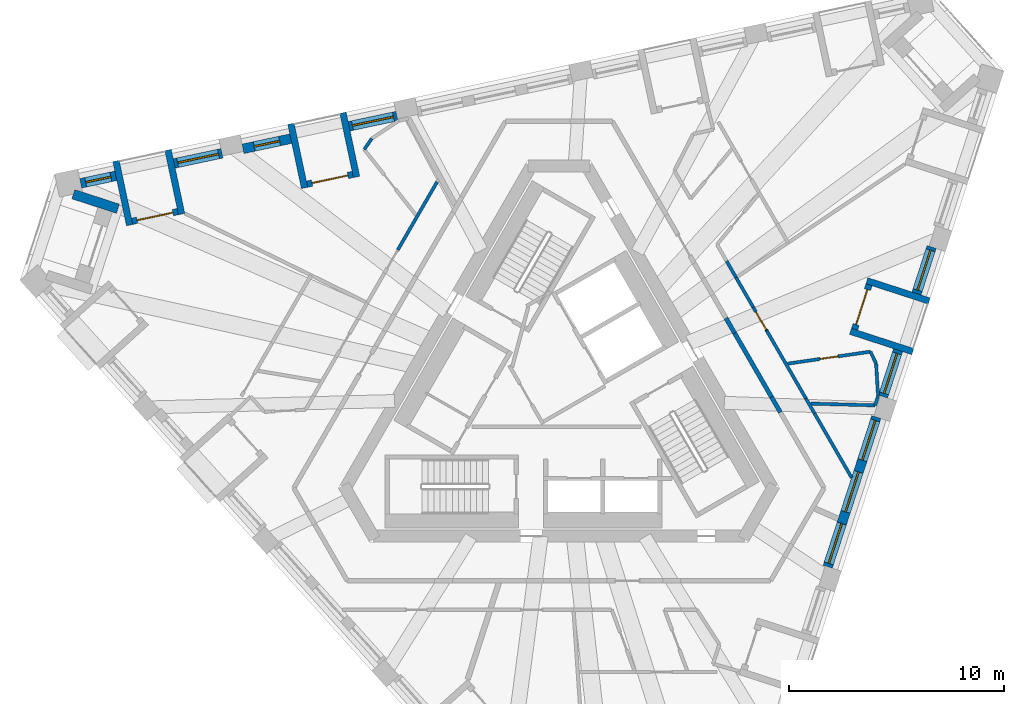
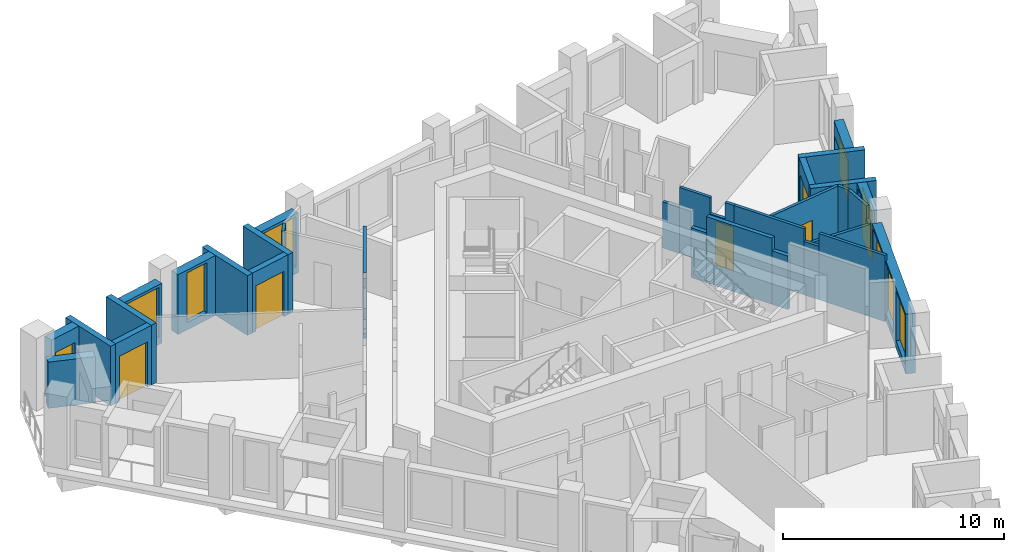
# One storey, part 6 of 12: 33 walls, 9 windows, 5 doors, 14 openings.
"""IFC4 building model written with IfcOpenShell, lengths in metres."""

from ifc_helpers import new_model, si_unit, direction, frame, frame_2d, origin, place, context, subcontext, project, spatial, polyline, rectangle, outline, extrude, material, layer, layer_set, type_object, element, fill, save


model = new_model("IFC4")

# Units and contexts
model_context = context("Model", 3, precision=1e-05, world=origin(), true_north=direction((0.0, 1.0)))
body_context = subcontext(model_context, "Body", "Model", "MODEL_VIEW")
ifc_project = project(units=[si_unit("LENGTHUNIT", "METRE"), si_unit("AREAUNIT", "SQUARE_METRE"), si_unit("VOLUMEUNIT", "CUBIC_METRE"), si_unit("PLANEANGLEUNIT", "RADIAN"), si_unit("MASSUNIT", "GRAM", prefix="KILO")], contexts=[model_context])

# Site, building, storey
site_placement = place(None, origin())
site = spatial("IfcSite", under=ifc_project, at=site_placement, CompositionType="ELEMENT")
building_placement = place(site_placement, origin())
building = spatial("IfcBuilding", under=site, at=building_placement, Name="Tramontana Tower", CompositionType="ELEMENT")
storey_placement = place(building_placement, frame((0.0, 0.0, 336.39990234375)))
storey = spatial("IfcBuildingStorey", under=building, at=storey_placement, Name="L77", CompositionType="ELEMENT", Elevation=336.39990234375)

# Walls
ifc_material_1 = material(Name="Blockwork", Category="masonry")
ifc_layer_1 = layer(ifc_material_1, 0.199951171875)
ifc_layer_set_1 = layer_set([ifc_layer_1], Name="ENTRY WALL 200")
wall_type_1 = type_object("IfcWallType", Name="ENTRY WALL 200", PredefinedType="SOLIDWALL", material=ifc_layer_set_1)
wall_1_placement = place(storey_placement, frame((7.765380859375, 3.64990234375, 0.0), z_axis=(0.0, 0.0, 1.0), x_axis=(0.500141487433, -0.865943700565, 0.0)))
element("IfcWall", 1, at=wall_1_placement, inside=storey, type_object=wall_type_1, Name="Wall v81-ew5-7", PredefinedType="SOLIDWALL", context=body_context, shape_type="SweptSolid", body=[
    extrude(rectangle(XDim=0.806884765625, YDim=0.199951171875, at=frame_2d((0.4033203125, 0.0))), origin(), (0.0, 0.0, 1.0), 2.75),
])
wall_2_placement = place(storey_placement, frame((8.1689453125, 2.951171875, 0.0), z_axis=(0.0, 0.0, 1.0), x_axis=(0.499959115548, -0.866049007147, 0.0)))
element("IfcWall", 2, at=wall_2_placement, inside=storey, type_object=wall_type_1, Name="Wall v81-ew5-8", PredefinedType="SOLIDWALL", context=body_context, shape_type="SweptSolid", body=[
    extrude(rectangle(XDim=3.423095703125, YDim=0.199951171875, at=frame_2d((1.71142578125, 0.0))), origin(), (0.0, 0.0, 1.0), 3.650146484375),
])
wall_3_placement = place(storey_placement, frame((9.88037109375, -0.013427734375, 0.0), z_axis=(0.0, 0.0, 1.0), x_axis=(0.499952654668, -0.866052736899, 0.0)))
element("IfcWall", 3, at=wall_3_placement, inside=storey, type_object=wall_type_1, Name="Wall v81-ew5-9", PredefinedType="SOLIDWALL", context=body_context, shape_type="SweptSolid", body=[
    extrude(rectangle(XDim=0.826171875, YDim=0.199951171875, at=frame_2d((0.4130859375, 0.0))), origin(), (0.0, 0.0, 1.0), 2.9501953125),
])

# Wall, openings, windows
ifc_material_2 = material(Name="Precast concrete 60 MPa", Category="concrete")
ifc_layer_2 = layer(ifc_material_2, 0.449951171875)
ifc_layer_set_2 = layer_set([ifc_layer_2], Name="Precast concrete 60 MPa, 450 mm")
wall_type_2 = type_object("IfcWallType", Name="EW1 Stone-faced precast wall 450", PredefinedType="SOLIDWALL", material=ifc_layer_set_2)
wall_4_placement = place(storey_placement, frame((12.493896484375, -7.904541015625, 0.0), z_axis=(0.0, 0.0, 1.0), x_axis=(0.309008326872, 0.951059332494, 0.0)))
wall_4 = element("IfcWall", 4, at=wall_4_placement, inside=storey, type_object=wall_type_2, Name="External wall L77 face 1 bay 3", PredefinedType="SOLIDWALL", context=body_context, shape_type="SweptSolid", body=[
    extrude(rectangle(XDim=7.313720703125, YDim=0.449951171875, at=frame_2d((3.65673828125, 0.0))), origin(), (0.0, 0.0, 1.0), 3.300048828125),
])
opening_1_placement = place(wall_4_placement, frame((0.16064453125, 0.0, 0.39990234375)))
opening_1 = element("IfcOpeningElement", 5, at=opening_1_placement, cuts=wall_4, Name="Opening M3", PredefinedType="OPENING", context=body_context, shape_type="SweptSolid", body=[
    extrude(rectangle(XDim=1.949951171875, YDim=2.75, at=frame_2d((0.97509765625, 1.375))), frame((0.0, 0.23486328125, 0.0), z_axis=(0.0, -1.0, 0.0), x_axis=(1.0, 0.0, 0.0)), (0.0, 0.0, 1.0), 0.469970703125),
])
opening_2_placement = place(wall_4_placement, frame((2.681884765625, 0.0, 0.39990234375)))
opening_2 = element("IfcOpeningElement", 6, at=opening_2_placement, cuts=wall_4, Name="Opening M3", PredefinedType="OPENING", context=body_context, shape_type="SweptSolid", body=[
    extrude(rectangle(XDim=1.949951171875, YDim=2.75, at=frame_2d((0.97509765625, 1.375))), frame((0.0, 0.23486328125, 0.0), z_axis=(0.0, -1.0, 0.0), x_axis=(1.0, 0.0, 0.0)), (0.0, 0.0, 1.0), 0.469970703125),
])
opening_3_placement = place(wall_4_placement, frame((5.203125, 0.0, 0.39990234375)))
opening_3 = element("IfcOpeningElement", 7, at=opening_3_placement, cuts=wall_4, Name="Opening M3", PredefinedType="OPENING", context=body_context, shape_type="SweptSolid", body=[
    extrude(rectangle(XDim=1.949951171875, YDim=2.75, at=frame_2d((0.97509765625, 1.375))), frame((0.0, 0.23486328125, 0.0), z_axis=(0.0, -1.0, 0.0), x_axis=(1.0, 0.0, 0.0)), (0.0, 0.0, 1.0), 0.469970703125),
])
ifc_material_3 = material(Name="Aluminum frame, double glazing unit", Category="aluminium")
window_type_1 = type_object("IfcWindowType", Name="M3 Window 1.95 x 2.75", PartitioningType="SINGLE_PANEL", PredefinedType="WINDOW", material=ifc_material_3)
window_1_placement = place(opening_1_placement, origin())
window_1 = element("IfcWindow", 8, at=window_1_placement, inside=storey, type_object=window_type_1, Name="Window M3 L77 face 1 module 7", OverallHeight=2.75, OverallWidth=1.949951171875, PartitioningType="SINGLE_PANEL", PredefinedType="WINDOW", context=body_context, shape_type="SweptSolid", body=[
    extrude(rectangle(XDim=1.949951171875, YDim=2.75, at=frame_2d((0.97509765625, 1.375))), frame((0.0, 0.030029296875, 0.0), z_axis=(0.0, -1.0, 0.0), x_axis=(1.0, 0.0, 0.0)), (0.0, 0.0, 1.0), 0.06005859375),
])
fill(opening_1, window_1)
window_2_placement = place(opening_2_placement, origin())
window_2 = element("IfcWindow", 9, at=window_2_placement, inside=storey, type_object=window_type_1, Name="Window M3 L77 face 1 module 8", OverallHeight=2.75, OverallWidth=1.949951171875, PartitioningType="SINGLE_PANEL", PredefinedType="WINDOW", context=body_context, shape_type="SweptSolid", body=[
    extrude(rectangle(XDim=1.949951171875, YDim=2.75, at=frame_2d((0.97509765625, 1.375))), frame((0.0, 0.030029296875, 0.0), z_axis=(0.0, -1.0, 0.0), x_axis=(1.0, 0.0, 0.0)), (0.0, 0.0, 1.0), 0.06005859375),
])
fill(opening_2, window_2)
window_3_placement = place(opening_3_placement, origin())
window_3 = element("IfcWindow", 10, at=window_3_placement, inside=storey, type_object=window_type_1, Name="Window M3 L77 face 1 module 9", OverallHeight=2.75, OverallWidth=1.949951171875, PartitioningType="SINGLE_PANEL", PredefinedType="WINDOW", context=body_context, shape_type="SweptSolid", body=[
    extrude(rectangle(XDim=1.949951171875, YDim=2.75, at=frame_2d((0.97509765625, 1.375))), frame((0.0, 0.030029296875, 0.0), z_axis=(0.0, -1.0, 0.0), x_axis=(1.0, 0.0, 0.0)), (0.0, 0.0, 1.0), 0.06005859375),
])
fill(opening_3, window_3)

# Wall, opening, window
wall_5_placement = place(storey_placement, frame((15.06298828125, 0.00244140625, 0.0), z_axis=(0.0, 0.0, 1.0), x_axis=(0.309059334219, 0.951042758204, 0.0)))
wall_5 = element("IfcWall", 11, at=wall_5_placement, inside=storey, type_object=wall_type_2, Name="External wall L77 face 1 bay 4", PredefinedType="SOLIDWALL", context=body_context, shape_type="SweptSolid", body=[
    extrude(rectangle(XDim=2.27099609375, YDim=0.449951171875, at=frame_2d((1.135498046875, 0.0))), origin(), (0.0, 0.0, 1.0), 3.300048828125),
])
opening_4_placement = place(wall_5_placement, frame((0.16064453125, 0.0, 0.39990234375)))
opening_4 = element("IfcOpeningElement", 12, at=opening_4_placement, cuts=wall_5, Name="Opening M3", PredefinedType="OPENING", context=body_context, shape_type="SweptSolid", body=[
    extrude(rectangle(XDim=1.949951171875, YDim=2.75, at=frame_2d((0.97509765625, 1.375))), frame((0.0, 0.23486328125, 0.0), z_axis=(0.0, -1.0, 0.0), x_axis=(1.0, 0.0, 0.0)), (0.0, 0.0, 1.0), 0.469970703125),
])
window_4_placement = place(opening_4_placement, origin())
window_4 = element("IfcWindow", 13, at=window_4_placement, inside=storey, type_object=window_type_1, Name="Window M3 L77 face 1 module 10", OverallHeight=2.75, OverallWidth=1.949951171875, PartitioningType="SINGLE_PANEL", PredefinedType="WINDOW", context=body_context, shape_type="SweptSolid", body=[
    extrude(rectangle(XDim=1.949951171875, YDim=2.75, at=frame_2d((0.97509765625, 1.375))), frame((0.0, 0.030029296875, 0.0), z_axis=(0.0, -1.0, 0.0), x_axis=(1.0, 0.0, 0.0)), (0.0, 0.0, 1.0), 0.06005859375),
])
fill(opening_4, window_4)

wall_6_placement = place(storey_placement, frame((16.62109375, 4.798095703125, 0.0), z_axis=(0.0, 0.0, 1.0), x_axis=(0.309027740273, 0.951053024674, 0.0)))
wall_6 = element("IfcWall", 14, at=wall_6_placement, inside=storey, type_object=wall_type_2, Name="External wall L77 face 1 bay 4", PredefinedType="SOLIDWALL", context=body_context, shape_type="SweptSolid", body=[
    extrude(rectangle(XDim=2.271240234375, YDim=0.449951171875, at=frame_2d((1.1357421875, 0.0))), origin(), (0.0, 0.0, 1.0), 3.300048828125),
])
opening_5_placement = place(wall_6_placement, frame((0.16064453125, 0.0, 0.39990234375)))
opening_5 = element("IfcOpeningElement", 15, at=opening_5_placement, cuts=wall_6, Name="Opening M3L", PredefinedType="OPENING", context=body_context, shape_type="SweptSolid", body=[
    extrude(rectangle(XDim=1.949951171875, YDim=2.10009765625, at=frame_2d((0.97509765625, 1.050048828125))), frame((0.0, 0.23486328125, 0.0), z_axis=(0.0, -1.0, 0.0), x_axis=(1.0, 0.0, 0.0)), (0.0, 0.0, 1.0), 0.469970703125),
])
ifc_material_4 = material(Name="Aluminum frame, double glazing unit", Category="aluminium")
window_type_2 = type_object("IfcWindowType", Name="M3L Window 1.95 x 2.1", PartitioningType="SINGLE_PANEL", PredefinedType="WINDOW", material=ifc_material_4)
window_5_placement = place(opening_5_placement, origin())
window_5 = element("IfcWindow", 16, at=window_5_placement, inside=storey, type_object=window_type_2, Name="Window M3L L77 face 1 module 12", OverallHeight=2.10009765625, OverallWidth=1.949951171875, PartitioningType="SINGLE_PANEL", PredefinedType="WINDOW", context=body_context, shape_type="SweptSolid", body=[
    extrude(rectangle(XDim=1.949951171875, YDim=2.10009765625, at=frame_2d((0.97509765625, 1.050048828125))), frame((0.0, 0.030029296875, 0.0), z_axis=(0.0, -1.0, 0.0), x_axis=(1.0, 0.0, 0.0)), (0.0, 0.0, 1.0), 0.06005859375),
])
fill(opening_5, window_5)

wall_7_placement = place(storey_placement, frame((-7.533447265625, 13.043701171875, 0.0), z_axis=(0.0, 0.0, 1.0), x_axis=(-0.978153386925, -0.207884467067, 0.0)))
wall_7 = element("IfcWall", 17, at=wall_7_placement, inside=storey, type_object=wall_type_2, Name="External wall L77 face 2 bay 4", PredefinedType="SOLIDWALL", context=body_context, shape_type="SweptSolid", body=[
    extrude(rectangle(XDim=2.271240234375, YDim=0.449951171875, at=frame_2d((1.1357421875, 0.0))), origin(), (0.0, 0.0, 1.0), 3.300048828125),
])
opening_6_placement = place(wall_7_placement, frame((0.16064453125, 0.0, 0.39990234375)))
opening_6 = element("IfcOpeningElement", 18, at=opening_6_placement, cuts=wall_7, Name="Opening M3", PredefinedType="OPENING", context=body_context, shape_type="SweptSolid", body=[
    extrude(rectangle(XDim=1.949951171875, YDim=2.75, at=frame_2d((0.97509765625, 1.375))), frame((0.0, 0.23486328125, 0.0), z_axis=(0.0, -1.0, 0.0), x_axis=(1.0, 0.0, 0.0)), (0.0, 0.0, 1.0), 0.469970703125),
])
window_6_placement = place(opening_6_placement, origin())
window_6 = element("IfcWindow", 19, at=window_6_placement, inside=storey, type_object=window_type_1, Name="Window M3 L77 face 2 module 10", OverallHeight=2.75, OverallWidth=1.949951171875, PartitioningType="SINGLE_PANEL", PredefinedType="WINDOW", context=body_context, shape_type="SweptSolid", body=[
    extrude(rectangle(XDim=1.949951171875, YDim=2.75, at=frame_2d((0.97509765625, 1.375))), frame((0.0, 0.030029296875, 0.0), z_axis=(0.0, -1.0, 0.0), x_axis=(1.0, 0.0, 0.0)), (0.0, 0.0, 1.0), 0.06005859375),
])
fill(opening_6, window_6)

wall_8_placement = place(storey_placement, frame((-12.4658203125, 11.995361328125, 0.0), z_axis=(0.0, 0.0, 1.0), x_axis=(-0.978153386925, -0.207884467067, 0.0)))
wall_8 = element("IfcWall", 20, at=wall_8_placement, inside=storey, type_object=wall_type_2, Name="External wall L77 face 2 bay 4", PredefinedType="SOLIDWALL", context=body_context, shape_type="SweptSolid", body=[
    extrude(rectangle(XDim=2.271240234375, YDim=0.449951171875, at=frame_2d((1.1357421875, 0.0))), origin(), (0.0, 0.0, 1.0), 3.300048828125),
])
opening_7_placement = place(wall_8_placement, frame((0.53564453125, 0.0, 0.39990234375)))
opening_7 = element("IfcOpeningElement", 21, at=opening_7_placement, cuts=wall_8, Name="Opening N3", PredefinedType="OPENING", context=body_context, shape_type="SweptSolid", body=[
    extrude(rectangle(XDim=1.199951171875, YDim=2.75, at=frame_2d((0.60009765625, 1.375))), frame((0.0, 0.23486328125, 0.0), z_axis=(0.0, -1.0, 0.0), x_axis=(1.0, 0.0, 0.0)), (0.0, 0.0, 1.0), 0.469970703125),
])
ifc_material_5 = material(Name="Aluminum frame, double glazing unit", Category="aluminium")
window_type_3 = type_object("IfcWindowType", Name="N3 Window 1.2 x 2.75", PartitioningType="SINGLE_PANEL", PredefinedType="WINDOW", material=ifc_material_5)
window_7_placement = place(opening_7_placement, origin())
window_7 = element("IfcWindow", 22, at=window_7_placement, inside=storey, type_object=window_type_3, Name="Window N3 L77 face 2 module 12", OverallHeight=2.75, OverallWidth=1.199951171875, PartitioningType="SINGLE_PANEL", PredefinedType="WINDOW", context=body_context, shape_type="SweptSolid", body=[
    extrude(rectangle(XDim=1.199951171875, YDim=2.75, at=frame_2d((0.60009765625, 1.375))), frame((0.0, 0.030029296875, 0.0), z_axis=(0.0, -1.0, 0.0), x_axis=(1.0, 0.0, 0.0)), (0.0, 0.0, 1.0), 0.06005859375),
])
fill(opening_7, window_7)

wall_9_placement = place(storey_placement, frame((-15.665771484375, 11.315185546875, 0.0), z_axis=(0.0, 0.0, 1.0), x_axis=(-0.978148740936, -0.207906326516, 0.0)))
wall_9 = element("IfcWall", 23, at=wall_9_placement, inside=storey, type_object=wall_type_2, Name="External wall L77 face 2 bay 5", PredefinedType="SOLIDWALL", context=body_context, shape_type="SweptSolid", body=[
    extrude(rectangle(XDim=2.27099609375, YDim=0.449951171875, at=frame_2d((1.135498046875, 0.0))), origin(), (0.0, 0.0, 1.0), 3.300048828125),
])
opening_8_placement = place(wall_9_placement, frame((0.16064453125, 0.0, 0.39990234375)))
opening_8 = element("IfcOpeningElement", 24, at=opening_8_placement, cuts=wall_9, Name="Opening M3", PredefinedType="OPENING", context=body_context, shape_type="SweptSolid", body=[
    extrude(rectangle(XDim=1.949951171875, YDim=2.75, at=frame_2d((0.97509765625, 1.375))), frame((0.0, 0.23486328125, 0.0), z_axis=(0.0, -1.0, 0.0), x_axis=(1.0, 0.0, 0.0)), (0.0, 0.0, 1.0), 0.469970703125),
])
window_8_placement = place(opening_8_placement, origin())
window_8 = element("IfcWindow", 25, at=window_8_placement, inside=storey, type_object=window_type_1, Name="Window M3 L77 face 2 module 13", OverallHeight=2.75, OverallWidth=1.949951171875, PartitioningType="SINGLE_PANEL", PredefinedType="WINDOW", context=body_context, shape_type="SweptSolid", body=[
    extrude(rectangle(XDim=1.949951171875, YDim=2.75, at=frame_2d((0.97509765625, 1.375))), frame((0.0, 0.030029296875, 0.0), z_axis=(0.0, -1.0, 0.0), x_axis=(1.0, 0.0, 0.0)), (0.0, 0.0, 1.0), 0.06005859375),
])
fill(opening_8, window_8)

wall_10_placement = place(storey_placement, frame((-20.59814453125, 10.266845703125, 0.0), z_axis=(0.0, 0.0, 1.0), x_axis=(-0.978126168783, -0.208012494676, 0.0)))
wall_10 = element("IfcWall", 26, at=wall_10_placement, inside=storey, type_object=wall_type_2, Name="External wall L77 face 2 bay 5", PredefinedType="SOLIDWALL", context=body_context, shape_type="SweptSolid", body=[
    extrude(rectangle(XDim=1.67138671875, YDim=0.449951171875, at=frame_2d((0.835693359375, 0.0))), origin(), (0.0, 0.0, 1.0), 3.300048828125),
])
opening_9_placement = place(wall_10_placement, frame((0.235595703125, 0.0, 0.39990234375)))
opening_9 = element("IfcOpeningElement", 27, at=opening_9_placement, cuts=wall_10, Name="Opening N3L", PredefinedType="OPENING", context=body_context, shape_type="SweptSolid", body=[
    extrude(rectangle(XDim=1.199951171875, YDim=2.10009765625, at=frame_2d((0.60009765625, 1.050048828125))), frame((0.0, 0.23486328125, 0.0), z_axis=(0.0, -1.0, 0.0), x_axis=(1.0, 0.0, 0.0)), (0.0, 0.0, 1.0), 0.469970703125),
])
ifc_material_6 = material(Name="Aluminum frame, double glazing unit", Category="aluminium")
window_type_4 = type_object("IfcWindowType", Name="N3L Window 1.2 x 2.1", PartitioningType="SINGLE_PANEL", PredefinedType="WINDOW", material=ifc_material_6)
window_9_placement = place(opening_9_placement, origin())
window_9 = element("IfcWindow", 28, at=window_9_placement, inside=storey, type_object=window_type_4, Name="Window N3L L77 face 2 module 15", OverallHeight=2.10009765625, OverallWidth=1.199951171875, PartitioningType="SINGLE_PANEL", PredefinedType="WINDOW", context=body_context, shape_type="SweptSolid", body=[
    extrude(rectangle(XDim=1.199951171875, YDim=2.10009765625, at=frame_2d((0.60009765625, 1.050048828125))), frame((0.0, 0.030029296875, 0.0), z_axis=(0.0, -1.0, 0.0), x_axis=(1.0, 0.0, 0.0)), (0.0, 0.0, 1.0), 0.06005859375),
])
fill(opening_9, window_9)

# Wall
wall_11_placement = place(storey_placement, frame((-22.57568359375, 9.411865234375, 0.0), z_axis=(0.0, 0.0, 1.0), x_axis=(0.951064526973, -0.308992338955, 0.0)))
element("IfcWall", 29, at=wall_11_placement, inside=storey, type_object=wall_type_2, Name="Corner loggia side wall L77 K80r", PredefinedType="SOLIDWALL", context=body_context, shape_type="SweptSolid", body=[
    extrude(rectangle(XDim=2.17919921875, YDim=0.449951171875, at=frame_2d((1.089599609375, 0.0))), origin(), (0.0, 0.0, 1.0), 2.550048828125),
])

# Wall, opening, door
ifc_material_7 = material(Name="Precast concrete 60 MPa", Category="concrete")
ifc_layer_3 = layer(ifc_material_7, 0.300048828125)
ifc_layer_set_3 = layer_set([ifc_layer_3], Name="LW1 Stone-faced loggia wall 300")
wall_type_3 = type_object("IfcWallType", Name="LW1 Stone-faced loggia wall 300", PredefinedType="SOLIDWALL", material=ifc_layer_set_3)
wall_12_placement = place(storey_placement, frame((13.741455078125, 3.13525390625, 0.0), z_axis=(0.0, 0.0, 1.0), x_axis=(0.308966581759, 0.95107289487, 0.0)))
wall_12 = element("IfcWall", 30, at=wall_12_placement, inside=storey, type_object=wall_type_3, Name="Loggia wall L77 G8S1.10", PredefinedType="SOLIDWALL", context=body_context, shape_type="SweptSolid", body=[
    extrude(rectangle(XDim=2.17138671875, YDim=0.300048828125, at=frame_2d((1.085693359375, 0.0))), origin(), (0.0, 0.0, 1.0), 3.300048828125),
])
opening_10_placement = place(wall_12_placement, frame((0.235595703125, 0.0, 0.0)))
opening_10 = element("IfcOpeningElement", 31, at=opening_10_placement, cuts=wall_12, Name="Opening BD-8S1-10", PredefinedType="OPENING", context=body_context, shape_type="SweptSolid", body=[
    extrude(rectangle(XDim=1.699951171875, YDim=2.5, at=frame_2d((0.85009765625, 1.25))), frame((0.0, 0.159912109375, 0.0), z_axis=(0.0, -1.0, 0.0), x_axis=(1.0, 0.0, 0.0)), (0.0, 0.0, 1.0), 0.320068359375),
])
ifc_material_8 = material(Name="Aluminum frame, double glazing unit", Category="aluminium")
door_type_1 = type_object("IfcDoorType", Name="BD3 Sliding door 1.7 x 2.5", OperationType="SLIDING_TO_LEFT", PredefinedType="DOOR", material=ifc_material_8)
door_1_placement = place(opening_10_placement, origin())
door_1 = element("IfcDoor", 32, at=door_1_placement, inside=storey, type_object=door_type_1, Name="Loggia door L77 G8S1.10", OperationType="SLIDING_TO_LEFT", OverallHeight=2.5, OverallWidth=1.699951171875, PredefinedType="DOOR", context=body_context, shape_type="SweptSolid", body=[
    extrude(rectangle(XDim=1.699951171875, YDim=2.5, at=frame_2d((0.85009765625, 1.25))), frame((0.0, 0.02490234375, 0.0), z_axis=(0.0, -1.0, 0.0), x_axis=(1.0, 0.0, 0.0)), (0.0, 0.0, 1.0), 0.050048828125),
])
fill(opening_10, door_1)

# Walls
for number, where, z_axis, x_axis, name in (
    (33, (16.453125, 2.096435546875, 0.0), (0.0, 0.0, 1.0), (-0.951041715693, 0.309062542235, 0.0), "Loggia return L77 G8S1.10a"),
    (34, (17.216796875, 4.44677734375, 0.0), (0.0, 0.0, 1.0), (-0.951041715693, 0.309062542235, 0.0), "Loggia return L77 G8S1.10b"),
):
    element("IfcWall", number, at=place(storey_placement, frame(where, z_axis=z_axis, x_axis=x_axis)), inside=storey, type_object=wall_type_3, Name=name, PredefinedType="SOLIDWALL", context=body_context, shape_type="SweptSolid", body=[
        extrude(rectangle(XDim=3.050048828125, YDim=0.300048828125, at=frame_2d((1.52490234375, 0.0))), origin(), (0.0, 0.0, 1.0), 3.300048828125),
    ])

# Wall, opening, door
wall_13_placement = place(storey_placement, frame((-9.5859375, 10.332763671875, 0.0), z_axis=(0.0, 0.0, 1.0), x_axis=(-0.978148276005, -0.207908513891, 0.0)))
wall_13 = element("IfcWall", 35, at=wall_13_placement, inside=storey, type_object=wall_type_3, Name="Loggia wall L77 G8S2.10", PredefinedType="SOLIDWALL", context=body_context, shape_type="SweptSolid", body=[
    extrude(rectangle(XDim=2.171142578125, YDim=0.300048828125, at=frame_2d((1.08544921875, 0.0))), origin(), (0.0, 0.0, 1.0), 3.300048828125),
])
opening_11_placement = place(wall_13_placement, frame((0.235595703125, 0.0, 0.0)))
opening_11 = element("IfcOpeningElement", 36, at=opening_11_placement, cuts=wall_13, Name="Opening BD-8S2-10", PredefinedType="OPENING", context=body_context, shape_type="SweptSolid", body=[
    extrude(rectangle(XDim=1.699951171875, YDim=2.5, at=frame_2d((0.85009765625, 1.25))), frame((0.0, 0.159912109375, 0.0), z_axis=(0.0, -1.0, 0.0), x_axis=(1.0, 0.0, 0.0)), (0.0, 0.0, 1.0), 0.320068359375),
])
door_2_placement = place(opening_11_placement, origin())
door_2 = element("IfcDoor", 37, at=door_2_placement, inside=storey, type_object=door_type_1, Name="Loggia door L77 G8S2.10", OperationType="SLIDING_TO_LEFT", OverallHeight=2.5, OverallWidth=1.699951171875, PredefinedType="DOOR", context=body_context, shape_type="SweptSolid", body=[
    extrude(rectangle(XDim=1.699951171875, YDim=2.5, at=frame_2d((0.85009765625, 1.25))), frame((0.0, 0.02490234375, 0.0), z_axis=(0.0, -1.0, 0.0), x_axis=(1.0, 0.0, 0.0)), (0.0, 0.0, 1.0), 0.050048828125),
])
fill(opening_11, door_2)

# Walls
for number, where, z_axis, x_axis, name in (
    (38, (-10.042236328125, 13.20068359375, 0.0), (0.0, 0.0, 1.0), (0.207954487003, -0.978138503145, 0.0), "Loggia return L77 G8S2.10a"),
    (39, (-12.45947265625, 12.686767578125, 0.0), (0.0, 0.0, 1.0), (0.207877902534, -0.978154782045, 0.0), "Loggia return L77 G8S2.10b"),
):
    element("IfcWall", number, at=place(storey_placement, frame(where, z_axis=z_axis, x_axis=x_axis)), inside=storey, type_object=wall_type_3, Name=name, PredefinedType="SOLIDWALL", context=body_context, shape_type="SweptSolid", body=[
        extrude(rectangle(XDim=3.050048828125, YDim=0.300048828125, at=frame_2d((1.52490234375, 0.0))), origin(), (0.0, 0.0, 1.0), 3.300048828125),
    ])

# Wall, opening, door
wall_14_placement = place(storey_placement, frame((-17.71826171875, 8.604248046875, 0.0), z_axis=(0.0, 0.0, 1.0), x_axis=(-0.978148276005, -0.207908513891, 0.0)))
wall_14 = element("IfcWall", 40, at=wall_14_placement, inside=storey, type_object=wall_type_3, Name="Loggia wall L77 G8S2.13", PredefinedType="SOLIDWALL", context=body_context, shape_type="SweptSolid", body=[
    extrude(rectangle(XDim=2.171142578125, YDim=0.300048828125, at=frame_2d((1.08544921875, 0.0))), origin(), (0.0, 0.0, 1.0), 3.300048828125),
])
opening_12_placement = place(wall_14_placement, frame((0.235595703125, 0.0, 0.0)))
opening_12 = element("IfcOpeningElement", 41, at=opening_12_placement, cuts=wall_14, Name="Opening BD-8S2-13", PredefinedType="OPENING", context=body_context, shape_type="SweptSolid", body=[
    extrude(rectangle(XDim=1.699951171875, YDim=2.5, at=frame_2d((0.85009765625, 1.25))), frame((0.0, 0.159912109375, 0.0), z_axis=(0.0, -1.0, 0.0), x_axis=(1.0, 0.0, 0.0)), (0.0, 0.0, 1.0), 0.320068359375),
])
door_3_placement = place(opening_12_placement, origin())
door_3 = element("IfcDoor", 42, at=door_3_placement, inside=storey, type_object=door_type_1, Name="Loggia door L77 G8S2.13", OperationType="SLIDING_TO_LEFT", OverallHeight=2.5, OverallWidth=1.699951171875, PredefinedType="DOOR", context=body_context, shape_type="SweptSolid", body=[
    extrude(rectangle(XDim=1.699951171875, YDim=2.5, at=frame_2d((0.85009765625, 1.25))), frame((0.0, 0.02490234375, 0.0), z_axis=(0.0, -1.0, 0.0), x_axis=(1.0, 0.0, 0.0)), (0.0, 0.0, 1.0), 0.050048828125),
])
fill(opening_12, door_3)

# Walls
wall_15_placement = place(storey_placement, frame((-18.17431640625, 11.471923828125, 0.0), z_axis=(0.0, 0.0, 1.0), x_axis=(0.207894179953, -0.978151322619, 0.0)))
element("IfcWall", 43, at=wall_15_placement, inside=storey, type_object=wall_type_3, Name="Loggia return L77 G8S2.13a", PredefinedType="SOLIDWALL", context=body_context, shape_type="SweptSolid", body=[
    extrude(rectangle(XDim=3.0498046875, YDim=0.300048828125, at=frame_2d((1.52490234375, 0.0))), origin(), (0.0, 0.0, 1.0), 3.300048828125),
])
wall_16_placement = place(storey_placement, frame((-20.591552734375, 10.958251953125, 0.0), z_axis=(0.0, 0.0, 1.0), x_axis=(0.207877902534, -0.978154782045, 0.0)))
element("IfcWall", 44, at=wall_16_placement, inside=storey, type_object=wall_type_3, Name="Loggia return L77 G8S2.13b", PredefinedType="SOLIDWALL", context=body_context, shape_type="SweptSolid", body=[
    extrude(rectangle(XDim=3.050048828125, YDim=0.300048828125, at=frame_2d((1.52490234375, 0.0))), origin(), (0.0, 0.0, 1.0), 3.300048828125),
])
ifc_material_9 = material(Name="Gypsum board partition")
ifc_layer_4 = layer(ifc_material_9, 0.14990234375)
ifc_layer_set_4 = layer_set([ifc_layer_4], Name="PARTITION 150")
wall_type_4 = type_object("IfcWallType", Name="PARTITION 150", PredefinedType="PARTITIONING", material=ifc_layer_set_4)
wall_17_placement = place(storey_placement, frame((-7.490478515625, 6.826171875, 0.0), z_axis=(0.0, 0.0, 1.0), x_axis=(0.500041145768, 0.866001646961, 0.0)))
element("IfcWall", 45, at=wall_17_placement, inside=storey, type_object=wall_type_4, Name="Wall v81-pw07-7", PredefinedType="PARTITIONING", context=body_context, shape_type="SweptSolid", body=[
    extrude(rectangle(XDim=3.647216796875, YDim=0.14990234375, at=frame_2d((1.82373046875, 0.0))), origin(), (0.0, 0.0, 1.0), 3.650146484375),
])
wall_18_placement = place(storey_placement, frame((7.792236328125, 6.303466796875, 0.0), z_axis=(0.0, 0.0, 1.0), x_axis=(0.500074377092, -0.865982457891, 0.0)))
element("IfcWall", 46, at=wall_18_placement, inside=storey, type_object=wall_type_4, Name="Wall v81-pw24-1", PredefinedType="PARTITIONING", context=body_context, shape_type="SweptSolid", body=[
    extrude(rectangle(XDim=0.880615234375, YDim=0.14990234375, at=frame_2d((0.4404296875, 0.0))), origin(), (0.0, 0.0, 1.0), 2.550048828125),
])
wall_19_placement = place(storey_placement, frame((8.232666015625, 5.540771484375, 0.0), z_axis=(0.0, 0.0, 1.0), x_axis=(0.500009674092, -0.866019818373, 0.0)))
element("IfcWall", 47, at=wall_19_placement, inside=storey, type_object=wall_type_4, Name="Wall v81-pw24-2", PredefinedType="PARTITIONING", context=body_context, shape_type="SweptSolid", body=[
    extrude(rectangle(XDim=1.59423828125, YDim=0.14990234375, at=frame_2d((0.797119140625, 0.0))), origin(), (0.0, 0.0, 1.0), 3.650146484375),
])

# Wall, opening, door
wall_20_placement = place(storey_placement, frame((9.02978515625, 4.16015625, 0.0), z_axis=(0.0, 0.0, 1.0), x_axis=(0.499952953824, -0.866052564203, 0.0)))
wall_20 = element("IfcWall", 48, at=wall_20_placement, inside=storey, type_object=wall_type_4, Name="Wall v81-pw24-3", PredefinedType="PARTITIONING", context=body_context, shape_type="SweptSolid", body=[
    extrude(outline(polyline([(0.0, 0.0), (1.2529296875, 0.0), (1.253173828125, 3.650146484375), (0.78173828125, 3.650146484375), (0.78173828125, 2.75), (0.0, 2.75), (0.0, 0.0)])), frame((0.0, 0.074951171875, 0.0), z_axis=(0.0, -1.0, 0.0), x_axis=(1.0, 0.0, 0.0)), (0.0, 0.0, 1.0), 0.14990234375),
])
opening_13_placement = place(wall_20_placement, frame((0.253173828125, 0.0, 0.0)))
opening_13 = element("IfcOpeningElement", 49, at=opening_13_placement, cuts=wall_20, Name="Opening B8B-13", PredefinedType="OPENING", context=body_context, shape_type="SweptSolid", body=[
    extrude(rectangle(XDim=0.949951171875, YDim=2.39990234375, at=frame_2d((0.47509765625, 1.199951171875))), frame((0.0, 0.0849609375, 0.0), z_axis=(0.0, -1.0, 0.0), x_axis=(1.0, 0.0, 0.0)), (0.0, 0.0, 1.0), 0.169921875),
])
ifc_material_10 = material(Name="Painted timber", Category="wood")
door_type_2 = type_object("IfcDoorType", Name="DOOR ROOM 950", OperationType="SINGLE_SWING_LEFT", PredefinedType="DOOR", material=ifc_material_10)
door_4_placement = place(opening_13_placement, origin())
door_4 = element("IfcDoor", 50, at=door_4_placement, inside=storey, type_object=door_type_2, Name="Door B8B-13", OperationType="SINGLE_SWING_LEFT", OverallHeight=2.39990234375, OverallWidth=0.949951171875, PredefinedType="DOOR", context=body_context, shape_type="SweptSolid", body=[
    extrude(rectangle(XDim=0.949951171875, YDim=2.39990234375, at=frame_2d((0.47509765625, 1.199951171875))), frame((0.0, 0.02490234375, 0.0), z_axis=(0.0, -1.0, 0.0), x_axis=(1.0, 0.0, 0.0)), (0.0, 0.0, 1.0), 0.050048828125),
])
fill(opening_13, door_4)

# Walls
wall_21_placement = place(storey_placement, frame((9.65625, 3.074951171875, 0.0), z_axis=(0.0, 0.0, 1.0), x_axis=(0.499996628238, -0.866027350463, 0.0)))
element("IfcWall", 51, at=wall_21_placement, inside=storey, type_object=wall_type_4, Name="Wall v81-pw24-4", PredefinedType="PARTITIONING", context=body_context, shape_type="SweptSolid", body=[
    extrude(rectangle(XDim=3.6484375, YDim=0.14990234375, at=frame_2d((1.82421875, 0.0))), origin(), (0.0, 0.0, 1.0), 3.650146484375),
])
wall_22_placement = place(storey_placement, frame((11.48046875, -0.084716796875, 0.0), z_axis=(0.0, 0.0, 1.0), x_axis=(0.499961121316, -0.86604784924, 0.0)))
element("IfcWall", 52, at=wall_22_placement, inside=storey, type_object=wall_type_4, Name="Wall v81-pw24-5", PredefinedType="PARTITIONING", context=body_context, shape_type="SweptSolid", body=[
    extrude(rectangle(XDim=0.796875, YDim=0.14990234375, at=frame_2d((0.3984375, 0.0))), origin(), (0.0, 0.0, 1.0), 2.9501953125),
])
wall_23_placement = place(storey_placement, frame((11.87890625, -0.77490234375, 0.0), z_axis=(0.0, 0.0, 1.0), x_axis=(0.499983902814, -0.8660346973, 0.0)))
element("IfcWall", 53, at=wall_23_placement, inside=storey, type_object=wall_type_4, Name="Wall v81-pw24-6", PredefinedType="PARTITIONING", context=body_context, shape_type="SweptSolid", body=[
    extrude(rectangle(XDim=3.44873046875, YDim=0.14990234375, at=frame_2d((1.724365234375, 0.0))), origin(), (0.0, 0.0, 1.0), 3.650146484375),
])

# Wall, opening, door
wall_24_placement = place(storey_placement, frame((14.48046875, 2.092041015625, 0.0), z_axis=(0.0, 0.0, 1.0), x_axis=(-0.98972223703, -0.143003124188, 0.0)))
wall_24 = element("IfcWall", 54, at=wall_24_placement, inside=storey, type_object=wall_type_4, Name="Wall v81-pw31", PredefinedType="PARTITIONING", context=body_context, shape_type="SweptSolid", body=[
    extrude(rectangle(XDim=3.88916015625, YDim=0.14990234375, at=frame_2d((1.944580078125, 0.0))), origin(), (0.0, 0.0, 1.0), 3.650146484375),
])
opening_14_placement = place(wall_24_placement, frame((1.51953125, 0.0, 0.0)))
opening_14 = element("IfcOpeningElement", 55, at=opening_14_placement, cuts=wall_24, Name="Opening B8B-14", PredefinedType="OPENING", context=body_context, shape_type="SweptSolid", body=[
    extrude(rectangle(XDim=0.85009765625, YDim=2.39990234375, at=frame_2d((0.425048828125, 1.199951171875))), frame((0.0, 0.0849609375, 0.0), z_axis=(0.0, -1.0, 0.0), x_axis=(1.0, 0.0, 0.0)), (0.0, 0.0, 1.0), 0.169921875),
])
ifc_material_11 = material(Name="Painted timber", Category="wood")
door_type_3 = type_object("IfcDoorType", Name="DOOR BATH 850", OperationType="SINGLE_SWING_LEFT", PredefinedType="DOOR", material=ifc_material_11)
door_5_placement = place(opening_14_placement, origin())
door_5 = element("IfcDoor", 56, at=door_5_placement, inside=storey, type_object=door_type_3, Name="Door B8B-14", OperationType="SINGLE_SWING_RIGHT", OverallHeight=2.39990234375, OverallWidth=0.85009765625, PredefinedType="DOOR", context=body_context, shape_type="SweptSolid", body=[
    extrude(rectangle(XDim=0.85009765625, YDim=2.39990234375, at=frame_2d((0.425048828125, 1.199951171875))), frame((0.0, 0.02490234375, 0.0), z_axis=(0.0, -1.0, 0.0), x_axis=(1.0, 0.0, 0.0)), (0.0, 0.0, 1.0), 0.050048828125),
])
fill(opening_14, door_5)

# Walls
wall_25_placement = place(storey_placement, frame((14.6943359375, -0.403564453125, 0.0), z_axis=(0.0, 0.0, 1.0), x_axis=(-0.999623987497, 0.027420496351, 0.0)))
element("IfcWall", 57, at=wall_25_placement, inside=storey, type_object=wall_type_4, Name="Wall v81-pw33-0", PredefinedType="PARTITIONING", context=body_context, shape_type="SweptSolid", body=[
    extrude(rectangle(XDim=2.99169921875, YDim=0.14990234375, at=frame_2d((1.495849609375, 0.0))), origin(), (0.0, 0.0, 1.0), 2.9501953125),
])
wall_26_placement = place(storey_placement, frame((14.74365234375, 1.535400390625, 0.0), z_axis=(0.0, 0.0, 1.0), x_axis=(0.060553720594, -0.998164939738, 0.0)))
element("IfcWall", 58, at=wall_26_placement, inside=storey, type_object=wall_type_4, Name="Wall v81-pw34", PredefinedType="PARTITIONING", context=body_context, shape_type="SweptSolid", body=[
    extrude(rectangle(XDim=1.5078125, YDim=0.14990234375, at=frame_2d((0.75390625, 0.0))), origin(), (0.0, 0.0, 1.0), 3.650146484375),
])
wall_27_placement = place(storey_placement, frame((14.835205078125, 0.029541015625, 0.0), z_axis=(0.0, 0.0, 1.0), x_axis=(-0.30881935168, -0.951120711597, 0.0)))
element("IfcWall", 59, at=wall_27_placement, inside=storey, type_object=wall_type_4, Name="Wall v81-pw35-0", PredefinedType="PARTITIONING", context=body_context, shape_type="SweptSolid", body=[
    extrude(rectangle(XDim=0.455322265625, YDim=0.14990234375, at=frame_2d((0.2275390625, 0.0))), origin(), (0.0, 0.0, 1.0), 2.9501953125),
])
wall_28_placement = place(storey_placement, frame((-9.052001953125, 11.494384765625, 0.0), z_axis=(0.0, 0.0, 1.0), x_axis=(0.569251205222, 0.822163648767, 0.0)))
element("IfcWall", 60, at=wall_28_placement, inside=storey, type_object=wall_type_4, Name="Wall v81-pwc00", PredefinedType="PARTITIONING", context=body_context, shape_type="SweptSolid", body=[
    extrude(rectangle(XDim=0.615966796875, YDim=0.14990234375, at=frame_2d((0.30810546875, 0.0))), origin(), (0.0, 0.0, 1.0), 3.650146484375),
])
wall_29_placement = place(storey_placement, frame((14.48046875, 2.092041015625, 0.0), z_axis=(0.0, 0.0, 1.0), x_axis=(0.427438540841, -0.904044409199, 0.0)))
element("IfcWall", 61, at=wall_29_placement, inside=storey, type_object=wall_type_4, Name="Wall v81-pwc02", PredefinedType="PARTITIONING", context=body_context, shape_type="SweptSolid", body=[
    extrude(rectangle(XDim=0.61572265625, YDim=0.14990234375, at=frame_2d((0.307861328125, 0.0))), origin(), (0.0, 0.0, 1.0), 3.650146484375),
])

save(model, "model.ifc")
